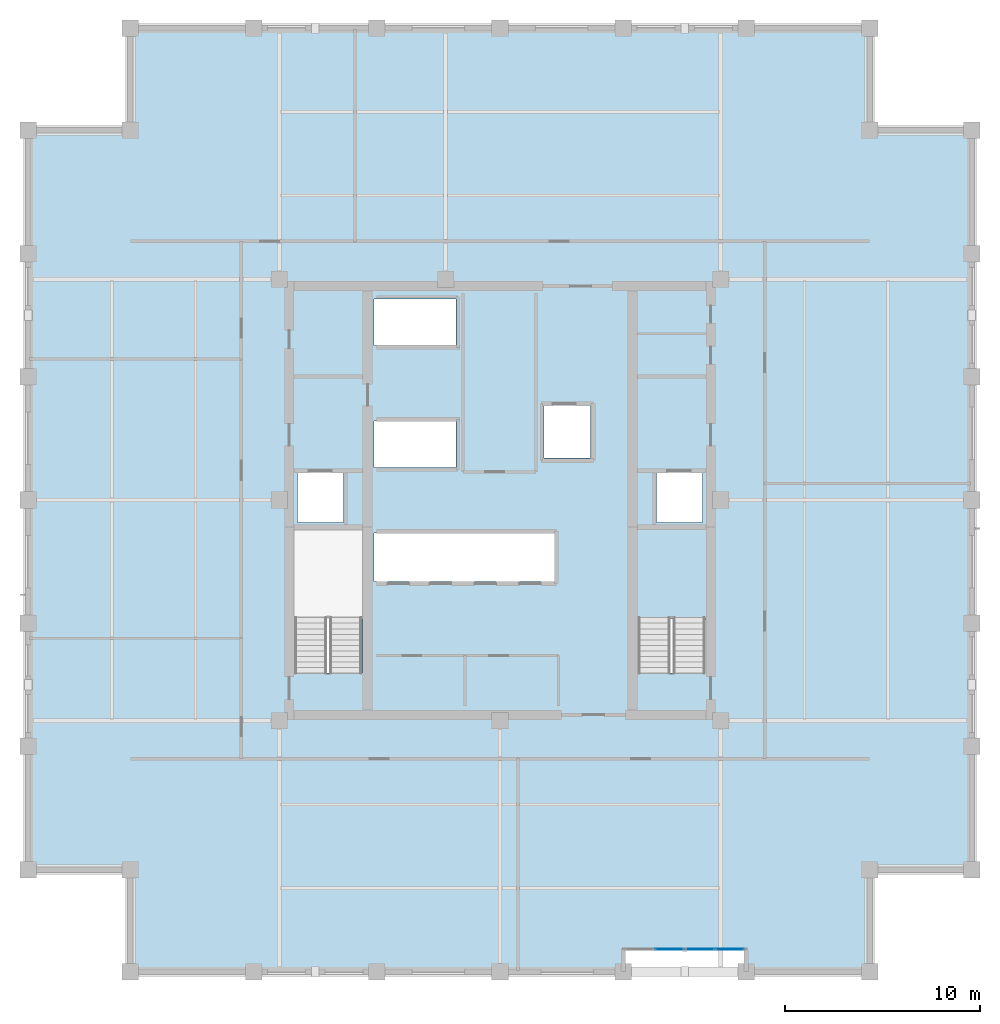
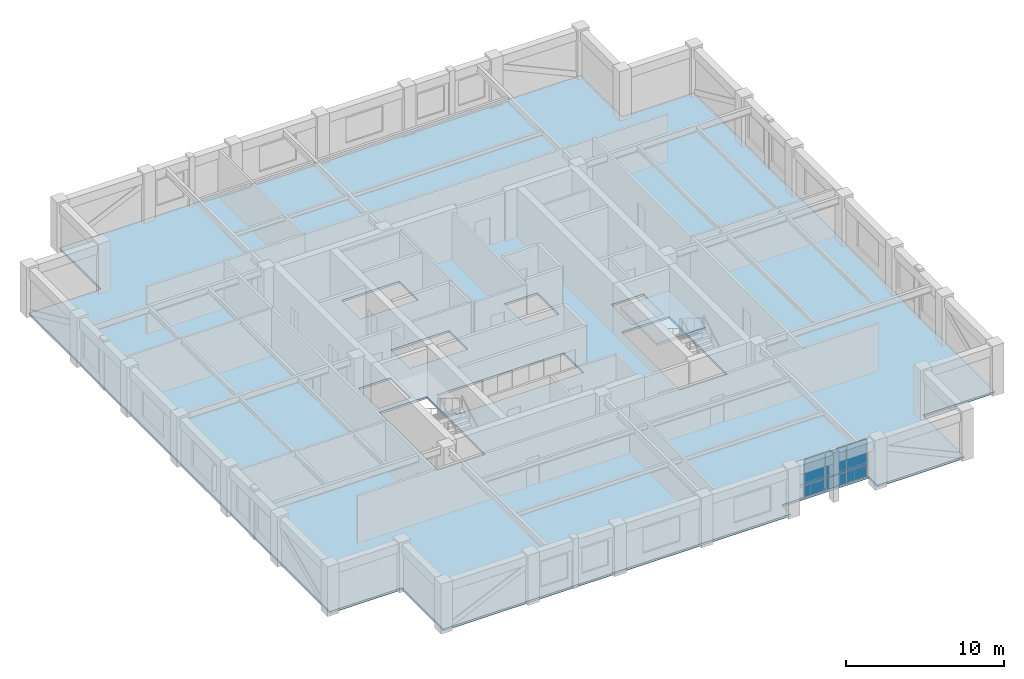
# One storey, part 7 of 13: 6 plates, 2 slabs, 2 elements without a shape of their own.
"""IFC4 building model written with IfcOpenShell, lengths in metres."""

from ifc_helpers import new_model, si_unit, direction, frame, origin, origin_2d, place, context, subcontext, project, spatial, polyline, rectangle, outline, extrude, material, layer, layer_set, type_object, element, aggregate, save


model = new_model("IFC4")

# Units and contexts
model_context = context("Model", 3, precision=1e-05, world=origin(), true_north=direction((0.0, 1.0)))
body_context = subcontext(model_context, "Body", "Model", "MODEL_VIEW")
ifc_project = project(units=[si_unit("LENGTHUNIT", "METRE"), si_unit("AREAUNIT", "SQUARE_METRE"), si_unit("VOLUMEUNIT", "CUBIC_METRE"), si_unit("PLANEANGLEUNIT", "RADIAN"), si_unit("MASSUNIT", "GRAM", prefix="KILO")], contexts=[model_context])

# Site, building, storey
site_placement = place(None, origin())
site = spatial("IfcSite", under=ifc_project, at=site_placement, CompositionType="ELEMENT")
building_placement = place(site_placement, origin())
building = spatial("IfcBuilding", under=site, at=building_placement, Name="Nhamokura Convention Tower", CompositionType="ELEMENT")
storey_placement = place(building_placement, frame((0.0, 0.0, 213.85009765625)))
storey = spatial("IfcBuildingStorey", under=building, at=storey_placement, Name="L52", CompositionType="ELEMENT", Elevation=213.85009765625)

# Curtain wall, plates
ifc_material_1 = material(Name="Anodised bronze aluminium AA6063-T6", Category="aluminium")
ifc_layer_1 = layer(ifc_material_1, 0.155029296875)
ifc_layer_set_1 = layer_set([ifc_layer_1], Name="CWSystem_ScaleSlot_Zone3")
curtain_wall_type = type_object("IfcCurtainWallType", Name="CWSystem_ScaleSlot_Zone3", PredefinedType="NOTDEFINED", material=ifc_layer_set_1)
curtain_wall_placement = place(storey_placement, origin())
curtain_wall = element("IfcCurtainWall", 1, at=curtain_wall_placement, inside=storey, type_object=curtain_wall_type, Name="L52 Curtain Wall ENV-L52-SLOT-S4", PredefinedType="NOTDEFINED")
ifc_material_2 = material(Name="Solar-control bronze low-E double glass", Category="glass")
ifc_layer_2 = layer(ifc_material_2, 0.0400390625)
ifc_layer_set_2 = layer_set([ifc_layer_2], Name="CWGlazedPanel_3")
plate_type = type_object("IfcPlateType", Name="CWGlazedPanel_3", PredefinedType="CURTAIN_PANEL", material=ifc_layer_set_2)
plate_1_placement = place(storey_placement, frame((43.813720703125, 8.89990234375, 0.06494140625), z_axis=(0.0, 0.0, 1.0), x_axis=(-1.0, 0.0, 0.0)))
plate_1 = element("IfcPlate", 2, at=plate_1_placement, type_object=plate_type, Name="CW-05 panel 1.1", PredefinedType="CURTAIN_PANEL", context=body_context, shape_type="SweptSolid", body=[
    extrude(rectangle(XDim=1.455810546875, YDim=0.0400390625, at=origin_2d()), origin(), (0.0, 0.0, 1.0), 0.8525390625),
])
plate_2_placement = place(storey_placement, frame((43.813720703125, 8.89990234375, 0.982421875), z_axis=(0.0, 0.0, 1.0), x_axis=(-1.0, 0.0, 0.0)))
plate_2 = element("IfcPlate", 3, at=plate_2_placement, type_object=plate_type, Name="CW-05 panel 1.2", PredefinedType="CURTAIN_PANEL", context=body_context, shape_type="SweptSolid", body=[
    extrude(rectangle(XDim=1.455810546875, YDim=0.0400390625, at=origin_2d()), origin(), (0.0, 0.0, 1.0), 1.9375),
])
plate_3_placement = place(storey_placement, frame((42.276611328125, 8.89990234375, 0.06494140625), z_axis=(0.0, 0.0, 1.0), x_axis=(-1.0, 0.0, 0.0)))
plate_3 = element("IfcPlate", 4, at=plate_3_placement, type_object=plate_type, Name="CW-05 panel 2.1", PredefinedType="CURTAIN_PANEL", context=body_context, shape_type="SweptSolid", body=[
    extrude(rectangle(XDim=1.48828125, YDim=0.0400390625, at=origin_2d()), origin(), (0.0, 0.0, 1.0), 0.8525390625),
])
plate_4_placement = place(storey_placement, frame((42.276611328125, 8.89990234375, 0.982421875), z_axis=(0.0, 0.0, 1.0), x_axis=(-1.0, 0.0, 0.0)))
plate_4 = element("IfcPlate", 5, at=plate_4_placement, type_object=plate_type, Name="CW-05 panel 2.2", PredefinedType="CURTAIN_PANEL", context=body_context, shape_type="SweptSolid", body=[
    extrude(rectangle(XDim=1.48828125, YDim=0.0400390625, at=origin_2d()), origin(), (0.0, 0.0, 1.0), 1.9375),
])
plate_5_placement = place(storey_placement, frame((40.723388671875, 8.89990234375, 0.06494140625), z_axis=(0.0, 0.0, 1.0), x_axis=(-1.0, 0.0, 0.0)))
plate_5 = element("IfcPlate", 6, at=plate_5_placement, type_object=plate_type, Name="CW-05 panel 3.1", PredefinedType="CURTAIN_PANEL", context=body_context, shape_type="SweptSolid", body=[
    extrude(rectangle(XDim=1.48828125, YDim=0.0400390625, at=origin_2d()), origin(), (0.0, 0.0, 1.0), 0.8525390625),
])
plate_6_placement = place(storey_placement, frame((40.723388671875, 8.89990234375, 0.982421875), z_axis=(0.0, 0.0, 1.0), x_axis=(-1.0, 0.0, 0.0)))
plate_6 = element("IfcPlate", 7, at=plate_6_placement, type_object=plate_type, Name="CW-05 panel 3.2", PredefinedType="CURTAIN_PANEL", context=body_context, shape_type="SweptSolid", body=[
    extrude(rectangle(XDim=1.48828125, YDim=0.0400390625, at=origin_2d()), origin(), (0.0, 0.0, 1.0), 1.9375),
])
aggregate(curtain_wall, [plate_1, plate_2, plate_3, plate_4, plate_5, plate_6])

# Slab
ifc_material_3 = material(Name="Concrete C40/50", Category="concrete")
ifc_layer_3 = layer(ifc_material_3, 0.1650390625)
ifc_layer_set_3 = layer_set([ifc_layer_3], Name="OfficeFloorSlab_165")
slab_type_1 = type_object("IfcSlabType", Name="OfficeFloorSlab_165", PredefinedType="FLOOR", material=ifc_layer_set_3)
slab_1_placement = place(storey_placement, frame((0.0, 0.0, -0.1650390625)))
element("IfcSlab", 8, at=slab_1_placement, inside=storey, type_object=slab_type_1, Name="L52 Structural Floor Slab", PredefinedType="FLOOR", context=body_context, shape_type="SweptSolid", body=[
    extrude(outline(polyline([(13.0, 7.75), (38.333251953125, 7.75), (38.333251953125, 8.89990234375), (44.666748046875, 8.89990234375), (44.666748046875, 7.75), (51.0, 7.75), (51.0, 13.0), (56.25, 13.0), (56.25, 51.0), (51.0, 51.0), (51.0, 56.25), (13.0, 56.25), (13.0, 51.0), (7.75, 51.0), (7.75, 13.0), (13.0, 13.0), (13.0, 7.75)]), holes=[polyline([(24.89990234375, 23.10009765625), (24.89990234375, 30.449951171875), (21.449951171875, 30.449951171875), (21.449951171875, 23.10009765625), (24.89990234375, 23.10009765625)]), polyline([(42.550048828125, 23.10009765625), (42.550048828125, 30.449951171875), (39.10009765625, 30.449951171875), (39.10009765625, 23.10009765625), (42.550048828125, 23.10009765625)]), polyline([(21.60009765625, 30.85009765625), (23.949951171875, 30.85009765625), (23.949951171875, 33.39990234375), (21.60009765625, 33.39990234375), (21.60009765625, 30.85009765625)]), polyline([(40.050048828125, 30.85009765625), (42.39990234375, 30.85009765625), (42.39990234375, 33.39990234375), (40.050048828125, 33.39990234375), (40.050048828125, 30.85009765625)]), polyline([(34.25, 34.14990234375), (36.64990234375, 34.14990234375), (36.64990234375, 36.85009765625), (34.25, 36.85009765625), (34.25, 34.14990234375)]), polyline([(25.52001953125, 27.800048828125), (34.800048828125, 27.800048828125), (34.800048828125, 30.300048828125), (25.52001953125, 30.300048828125), (25.52001953125, 27.800048828125)]), polyline([(25.52001953125, 33.679931640625), (29.75, 33.679931640625), (29.75, 36.050048828125), (25.52001953125, 36.050048828125), (25.52001953125, 33.679931640625)]), polyline([(25.52001953125, 39.949951171875), (29.75, 39.949951171875), (29.75, 42.320068359375), (25.52001953125, 42.320068359375), (25.52001953125, 39.949951171875)])]), origin(), (0.0, 0.0, 1.0), 0.1650390625),
])

# Stair, slab
ifc_material_4 = material(Name="Concrete C40/50", Category="concrete")
stair_type = type_object("IfcStairType", Name="TowerCoreStair_1650", PredefinedType="HALF_TURN_STAIR", material=ifc_material_4)
stair_placement = place(storey_placement, origin())
stair = element("IfcStair", 9, at=stair_placement, inside=storey, type_object=stair_type, Name="L52 East Core Smokeproof Stair ST-02", PredefinedType="HALF_TURN_STAIR")
ifc_material_5 = material(Name="Concrete C40/50", Category="concrete")
ifc_layer_4 = layer(ifc_material_5, 0.199951171875)
ifc_layer_set_4 = layer_set([ifc_layer_4], Name="StairLandingSlab_200")
slab_type_2 = type_object("IfcSlabType", Name="StairLandingSlab_200", PredefinedType="LANDING", material=ifc_layer_set_4)
slab_2_placement = place(storey_placement, frame((0.0, 0.0, 1.724853515625)))
slab_2 = element("IfcSlab", 10, at=slab_2_placement, type_object=slab_type_2, Name="ST-02 landing 1", PredefinedType="LANDING", context=body_context, shape_type="SweptSolid", body=[
    extrude(outline(polyline([(42.6298828125, 25.8701171875), (42.6298828125, 30.530029296875), (39.02001953125, 30.530029296875), (39.02001953125, 25.8701171875), (42.6298828125, 25.8701171875)])), origin(), (0.0, 0.0, 1.0), 0.199951171875),
])
aggregate(stair, [slab_2])

save(model, "model.ifc")
